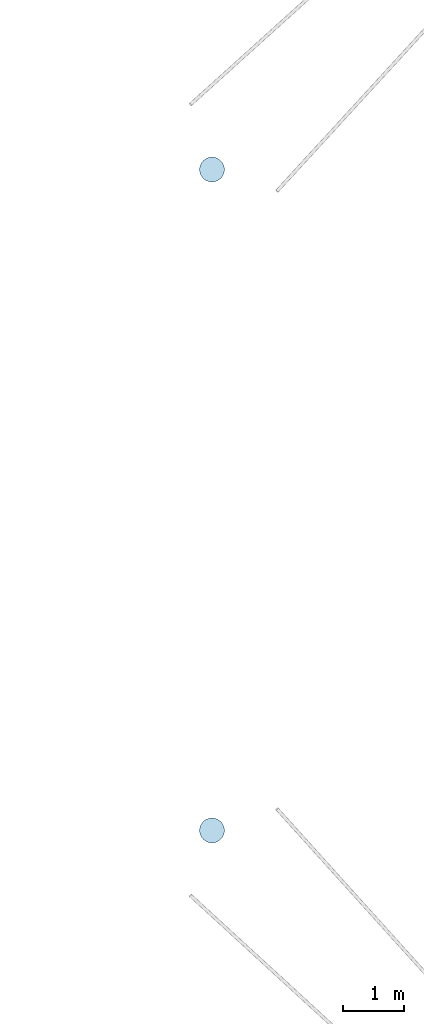
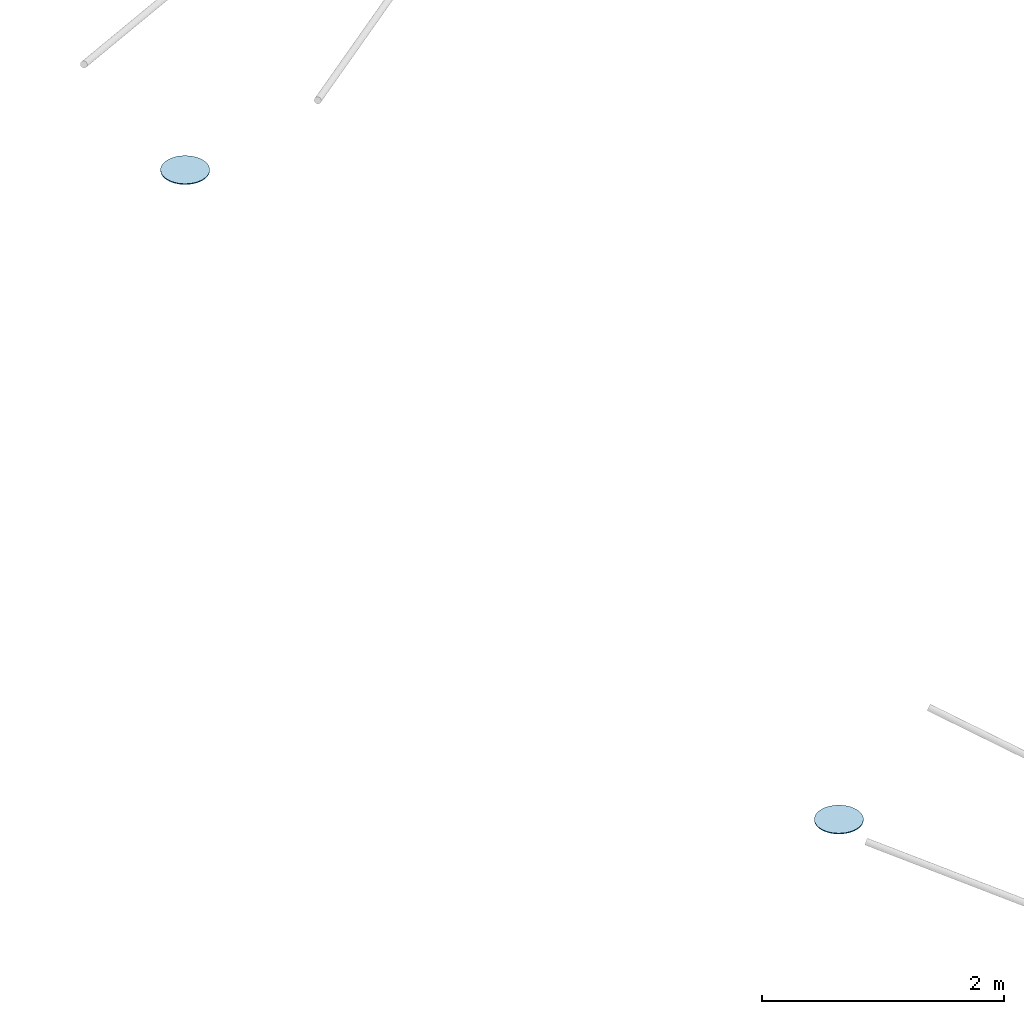
# One storey, part 30 of 42: 2 plates.
"""IFC4 building model written with IfcOpenShell, lengths in metres."""

from ifc_helpers import new_model, si_unit, direction, frame, origin, origin_2d, place, context, subcontext, project, spatial, circle, extrude, material, material_profile, profile_set, type_object, element, save


model = new_model("IFC4")

# Units and contexts
model_context = context("Model", 3, precision=1e-05, world=origin(), true_north=direction((0.0, 1.0)))
body_context = subcontext(model_context, "Body", "Model", "MODEL_VIEW")
ifc_project = project(units=[si_unit("LENGTHUNIT", "METRE"), si_unit("AREAUNIT", "SQUARE_METRE"), si_unit("VOLUMEUNIT", "CUBIC_METRE"), si_unit("PLANEANGLEUNIT", "RADIAN"), si_unit("MASSUNIT", "GRAM", prefix="KILO")], contexts=[model_context])

# Site, building, storey
site_placement = place(None, origin())
site = spatial("IfcSite", under=ifc_project, at=site_placement, CompositionType="ELEMENT")
building_placement = place(site_placement, origin())
building = spatial("IfcBuilding", under=site, at=building_placement, Name="Magnolia Steps Interchange", CompositionType="ELEMENT")
storey_placement = place(building_placement, frame((0.0, 0.0, 12.60009765625)))
storey = spatial("IfcBuildingStorey", under=building, at=storey_placement, Name="L03", CompositionType="ELEMENT", Elevation=12.60009765625)

# Plates
ifc_material = material(Name="Steel Q355B", Category="steel")
ifc_material_profile = material_profile(ifc_material, circle(Radius=0.202880859375, at=origin_2d()), Name="End plate CHS406x16")
ifc_profile_set = profile_set([ifc_material_profile], Name="Steel Q355B")
plate_type = type_object("IfcPlateType", Name="End plate CHS406x16", PredefinedType="SHEET", material=ifc_profile_set)
for number, where, z_axis, x_axis, name in (
    (1, (172.0, 53.199951171875, 0.0185546875), (0.0, 0.0, 1.0), (1.0, 0.0, 0.0), "End plate Mast"),
    (2, (172.0, 64.0, 0.0185546875), (0.0, 0.0, 1.0), (1.0, 0.0, 0.0), "End plate Mast"),
):
    element("IfcPlate", number, at=place(storey_placement, frame(where, z_axis=z_axis, x_axis=x_axis)), inside=storey, type_object=plate_type, Name=name, PredefinedType="SHEET", context=body_context, shape_type="SweptSolid", body=[
        extrude(circle(Radius=0.202880859375, at=origin_2d()), origin(), (0.0, 0.0, 1.0), 0.008056640625),
    ])

save(model, "model.ifc")
